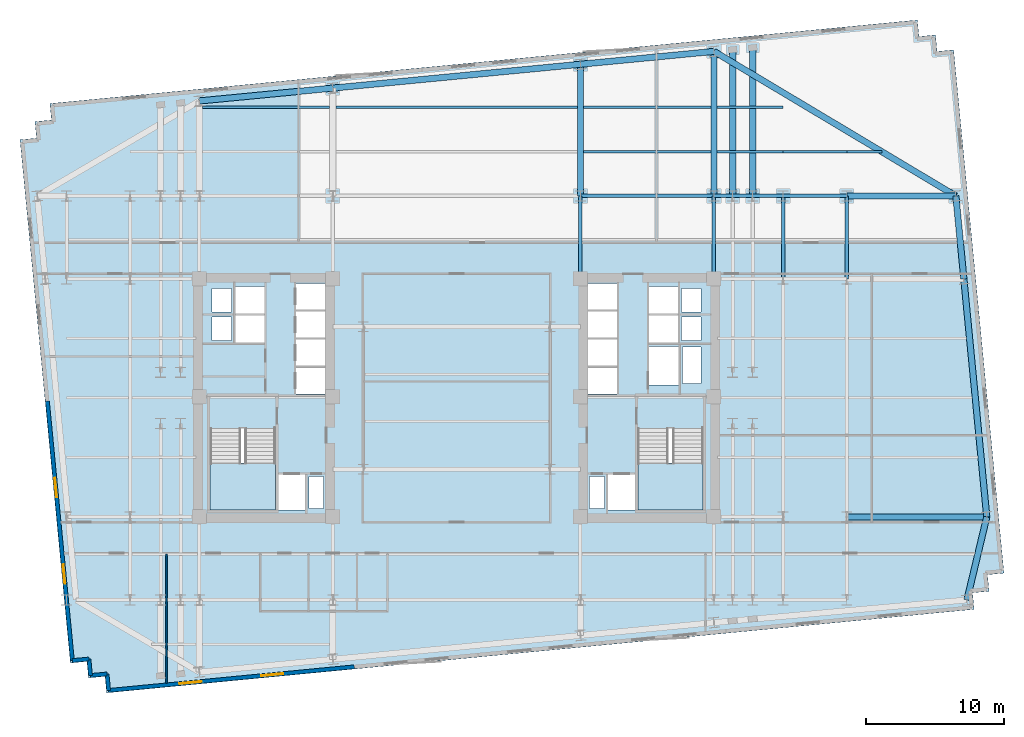
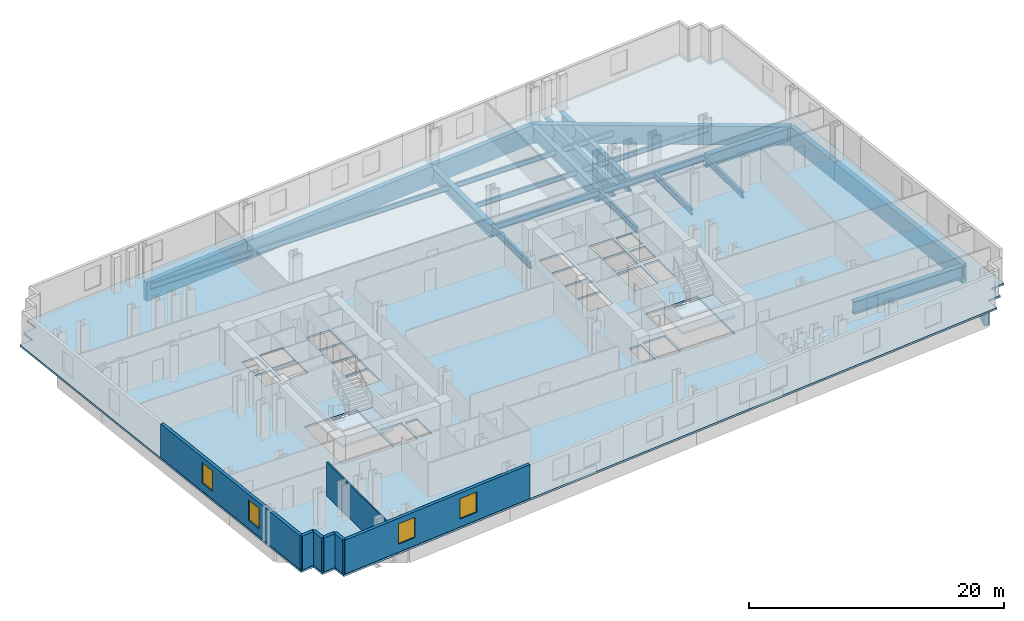
# One storey, part 3 of 10: 28 beams, 7 walls, 4 windows, 3 slabs, 4 openings, 2 elements without a shape of their own.
"""IFC4 building model written with IfcOpenShell, lengths in metres."""

from ifc_helpers import new_model, si_unit, direction, frame, frame_2d, origin, origin_2d, place, context, subcontext, project, spatial, polyline, rectangle, i_section, outline, extrude, material, layer, layer_set, material_profile, profile_set, type_object, element, fill, aggregate, save


model = new_model("IFC4")

# Units and contexts
model_context = context("Model", 3, precision=1e-05, world=origin(), true_north=direction((0.0, 1.0)))
body_context = subcontext(model_context, "Body", "Model", "MODEL_VIEW")
ifc_project = project(units=[si_unit("LENGTHUNIT", "METRE"), si_unit("AREAUNIT", "SQUARE_METRE"), si_unit("VOLUMEUNIT", "CUBIC_METRE"), si_unit("PLANEANGLEUNIT", "RADIAN"), si_unit("MASSUNIT", "GRAM", prefix="KILO")], contexts=[model_context])

# Site, building, storey
site_placement = place(None, origin())
site = spatial("IfcSite", under=ifc_project, at=site_placement, CompositionType="ELEMENT")
building_placement = place(site_placement, origin())
building = spatial("IfcBuilding", under=site, at=building_placement, Name="Velakula Bourse", CompositionType="ELEMENT")
storey_placement = place(building_placement, frame((0.0, 0.0, 74.199951171875)))
storey = spatial("IfcBuildingStorey", under=building, at=storey_placement, Name="L19", CompositionType="ELEMENT", Elevation=74.199951171875)

# Beams
ifc_material_1 = material(Name="Steel IS 2062 Grade 350 (E350)", Category="steel")
ifc_material_profile_1 = material_profile(ifc_material_1, i_section(OverallWidth=0.25, OverallDepth=0.60009765625, WebThickness=0.01171875, FlangeThickness=0.023681640625, at=origin_2d()), Name="Steel IS 2062 Grade 350 (E350)")
ifc_profile_set_1 = profile_set([ifc_material_profile_1], Name="Steel IS 2062 Grade 350 (E350)")
beam_type_1 = type_object("IfcBeamType", Name="BM-GRD-600H", PredefinedType="BEAM", material=ifc_profile_set_1)
for number, where, z_axis, x_axis, name in (
    (1, (8.949951171875, 8.60009765625, -0.47998046875), (0.0, 1.0, 0.0), (-1.0, 0.0, 0.0), "L19 Fulcrum Grid Girder FLC-ECN"),
    (2, (18.60009765625, 8.60009765625, -0.47998046875), (0.0, 1.0, 0.0), (-1.0, 0.0, 0.0), "L19 Fulcrum Grid Girder FLC-EN"),
):
    element("IfcBeam", number, at=place(storey_placement, frame(where, z_axis=z_axis, x_axis=x_axis)), inside=storey, type_object=beam_type_1, Name=name, PredefinedType="BEAM", context=body_context, shape_type="SweptSolid", body=[
        extrude(i_section(OverallWidth=0.25, OverallDepth=0.60009765625, WebThickness=0.01171875, FlangeThickness=0.023681640625, at=origin_2d()), origin(), (0.0, 0.0, 1.0), 6.0),
    ])
beam_1_placement = place(storey_placement, frame((8.949951171875, 14.60009765625, -0.47998046875), z_axis=(1.0, 0.0, 0.0), x_axis=(0.0, 1.0, 0.0)))
element("IfcBeam", 3, at=beam_1_placement, inside=storey, type_object=beam_type_1, Name="L19 Fulcrum Grid Girder FLC-N3", PredefinedType="BEAM", context=body_context, shape_type="SweptSolid", body=[
    extrude(i_section(OverallWidth=0.25, OverallDepth=0.60009765625, WebThickness=0.01171875, FlangeThickness=0.023681640625, at=origin_2d()), origin(), (0.0, 0.0, 1.0), 9.650146484375),
])
beam_2_placement = place(storey_placement, frame((18.60009765625, 14.60009765625, -0.47998046875), z_axis=(1.0, 0.0, 0.0), x_axis=(0.0, 1.0, 0.0)))
element("IfcBeam", 4, at=beam_2_placement, inside=storey, type_object=beam_type_1, Name="L19 Fulcrum Grid Girder MWG-EN2", PredefinedType="BEAM", context=body_context, shape_type="SweptSolid", body=[
    extrude(i_section(OverallWidth=0.25, OverallDepth=0.60009765625, WebThickness=0.01171875, FlangeThickness=0.023681640625, at=origin_2d()), origin(), (0.0, 0.0, 1.0), 5.0),
])
beam_3_placement = place(storey_placement, frame((23.60009765625, 8.60009765625, -0.47998046875), z_axis=(0.0, 1.0, 0.0), x_axis=(-1.0, 0.0, 0.0)))
element("IfcBeam", 5, at=beam_3_placement, inside=storey, type_object=beam_type_1, Name="L19 Fulcrum Grid Girder MWG-ENS3", PredefinedType="BEAM", context=body_context, shape_type="SweptSolid", body=[
    extrude(i_section(OverallWidth=0.25, OverallDepth=0.60009765625, WebThickness=0.01171875, FlangeThickness=0.023681640625, at=origin_2d()), origin(), (0.0, 0.0, 1.0), 6.0),
])
beam_4_placement = place(storey_placement, frame((23.60009765625, 14.60009765625, -0.47998046875), z_axis=(1.0, 0.0, 0.0), x_axis=(0.0, 1.0, 0.0)))
element("IfcBeam", 6, at=beam_4_placement, inside=storey, type_object=beam_type_1, Name="L19 Fulcrum Grid Girder WNG-EN2", PredefinedType="BEAM", context=body_context, shape_type="SweptSolid", body=[
    extrude(i_section(OverallWidth=0.25, OverallDepth=0.60009765625, WebThickness=0.01171875, FlangeThickness=0.023681640625, at=origin_2d()), origin(), (0.0, 0.0, 1.0), 4.599853515625),
])
beam_5_placement = place(storey_placement, frame((28.199951171875, 8.60009765625, -0.47998046875), z_axis=(0.0, 1.0, 0.0), x_axis=(-1.0, 0.0, 0.0)))
element("IfcBeam", 7, at=beam_5_placement, inside=storey, type_object=beam_type_1, Name="L19 Fulcrum Grid Girder WNG-ENS3", PredefinedType="BEAM", context=body_context, shape_type="SweptSolid", body=[
    extrude(i_section(OverallWidth=0.25, OverallDepth=0.60009765625, WebThickness=0.01171875, FlangeThickness=0.023681640625, at=origin_2d()), origin(), (0.0, 0.0, 1.0), 6.0),
])
ifc_material_profile_2 = material_profile(ifc_material_1, i_section(OverallWidth=0.179931640625, OverallDepth=0.5, WebThickness=0.01025390625, FlangeThickness=0.01708984375, at=origin_2d()), Name="Steel IS 2062 Grade 350 (E350)")
ifc_profile_set_2 = profile_set([ifc_material_profile_2], Name="Steel IS 2062 Grade 350 (E350)")
beam_type_2 = type_object("IfcBeamType", Name="JST-TWR-500", PredefinedType="JOIST", material=ifc_profile_set_2)
beam_6_placement = place(storey_placement, frame((9.175048828125, 17.800048828125, -0.429931640625), z_axis=(1.0, 0.0, 0.0), x_axis=(0.0, 1.0, 0.0)))
element("IfcBeam", 8, at=beam_6_placement, inside=storey, type_object=beam_type_2, Name="L19 Trading Floor Composite Joist 23", PredefinedType="JOIST", context=body_context, shape_type="SweptSolid", body=[
    extrude(i_section(OverallWidth=0.179931640625, OverallDepth=0.5, WebThickness=0.01025390625, FlangeThickness=0.01708984375, at=origin_2d()), origin(), (0.0, 0.0, 1.0), 9.199951171875),
])
beam_7_placement = place(storey_placement, frame((18.824951171875, 17.800048828125, -0.429931640625), z_axis=(1.0, 0.0, 0.0), x_axis=(0.0, 1.0, 0.0)))
element("IfcBeam", 9, at=beam_7_placement, inside=storey, type_object=beam_type_2, Name="L19 Trading Floor Composite Joist 24", PredefinedType="JOIST", context=body_context, shape_type="SweptSolid", body=[
    extrude(i_section(OverallWidth=0.179931640625, OverallDepth=0.5, WebThickness=0.01025390625, FlangeThickness=0.01708984375, at=origin_2d()), origin(), (0.0, 0.0, 1.0), 4.775146484375),
])
beam_8_placement = place(storey_placement, frame((23.60009765625, 17.800048828125, -0.429931640625), z_axis=(1.0, 0.0, 0.0), x_axis=(0.0, 1.0, 0.0)))
element("IfcBeam", 10, at=beam_8_placement, inside=storey, type_object=beam_type_2, Name="L19 Trading Floor Composite Joist 25", PredefinedType="JOIST", context=body_context, shape_type="SweptSolid", body=[
    extrude(i_section(OverallWidth=0.179931640625, OverallDepth=0.5, WebThickness=0.01025390625, FlangeThickness=0.01708984375, at=origin_2d()), origin(), (0.0, 0.0, 1.0), 4.599853515625),
])
beam_9_placement = place(storey_placement, frame((28.199951171875, 17.800048828125, -0.429931640625), z_axis=(1.0, 0.0, 0.0), x_axis=(0.0, 1.0, 0.0)))
element("IfcBeam", 11, at=beam_9_placement, inside=storey, type_object=beam_type_2, Name="L19 Trading Floor Composite Joist 26", PredefinedType="JOIST", context=body_context, shape_type="SweptSolid", body=[
    extrude(i_section(OverallWidth=0.179931640625, OverallDepth=0.5, WebThickness=0.01025390625, FlangeThickness=0.01708984375, at=origin_2d()), origin(), (0.0, 0.0, 1.0), 2.53173828125),
])
beam_10_placement = place(storey_placement, frame((-18.375, 21.0, -0.429931640625), z_axis=(1.0, 0.0, 0.0), x_axis=(0.0, 1.0, 0.0)))
element("IfcBeam", 12, at=beam_10_placement, inside=storey, type_object=beam_type_2, Name="L19 Trading Floor Composite Joist 27", PredefinedType="JOIST", context=body_context, shape_type="SweptSolid", body=[
    extrude(i_section(OverallWidth=0.179931640625, OverallDepth=0.5, WebThickness=0.01025390625, FlangeThickness=0.01708984375, at=origin_2d()), origin(), (0.0, 0.0, 1.0), 9.199951171875),
])
beam_11_placement = place(storey_placement, frame((-8.72509765625, 21.0, -0.429931640625), z_axis=(1.0, 0.0, 0.0), x_axis=(0.0, 1.0, 0.0)))
element("IfcBeam", 13, at=beam_11_placement, inside=storey, type_object=beam_type_2, Name="L19 Trading Floor Composite Joist 28", PredefinedType="JOIST", context=body_context, shape_type="SweptSolid", body=[
    extrude(i_section(OverallWidth=0.179931640625, OverallDepth=0.5, WebThickness=0.01025390625, FlangeThickness=0.01708984375, at=origin_2d()), origin(), (0.0, 0.0, 1.0), 17.4501953125),
])
beam_12_placement = place(storey_placement, frame((9.175048828125, 21.0, -0.429931640625), z_axis=(1.0, 0.0, 0.0), x_axis=(0.0, 1.0, 0.0)))
element("IfcBeam", 14, at=beam_12_placement, inside=storey, type_object=beam_type_2, Name="L19 Trading Floor Composite Joist 29", PredefinedType="JOIST", context=body_context, shape_type="SweptSolid", body=[
    extrude(i_section(OverallWidth=0.179931640625, OverallDepth=0.5, WebThickness=0.01025390625, FlangeThickness=0.01708984375, at=origin_2d()), origin(), (0.0, 0.0, 1.0), 9.199951171875),
])
beam_13_placement = place(storey_placement, frame((18.824951171875, 21.0, -0.429931640625), z_axis=(1.0, 0.0, 0.0), x_axis=(0.0, 1.0, 0.0)))
element("IfcBeam", 15, at=beam_13_placement, inside=storey, type_object=beam_type_2, Name="L19 Trading Floor Composite Joist 30", PredefinedType="JOIST", context=body_context, shape_type="SweptSolid", body=[
    extrude(i_section(OverallWidth=0.179931640625, OverallDepth=0.5, WebThickness=0.01025390625, FlangeThickness=0.01708984375, at=origin_2d()), origin(), (0.0, 0.0, 1.0), 4.775146484375),
])
ifc_material_2 = material(Name="Concrete M50 (fck 50 MPa)", Category="concrete")
ifc_material_profile_3 = material_profile(ifc_material_2, rectangle(XDim=0.449951171875, YDim=1.800048828125, at=origin_2d()), Name="Concrete M50 (fck 50 MPa)")
ifc_profile_set_3 = profile_set([ifc_material_profile_3], Name="Concrete M50 (fck 50 MPa)")
beam_type_3 = type_object("IfcBeamType", Name="SPN-TRF-1800", PredefinedType="SPANDREL", material=ifc_profile_set_3)
beam_14_placement = place(storey_placement, frame((-18.60009765625, 21.468994140625, -1.079833984375), z_axis=(0.99539623971, 0.095845323155, 0.0), x_axis=(-0.095845323155, 0.99539623971, 0.0)))
element("IfcBeam", 16, at=beam_14_placement, inside=storey, type_object=beam_type_3, Name="L19 Brick-Faced Precast Spandrel N1-N2", PredefinedType="SPANDREL", context=body_context, shape_type="SweptSolid", body=[
    extrude(rectangle(XDim=0.449951171875, YDim=1.800048828125, at=origin_2d()), origin(), (0.0, 0.0, 1.0), 9.69482421875),
])
beam_15_placement = place(storey_placement, frame((-8.949951171875, 22.398193359375, -1.079833984375), z_axis=(0.995397131467, 0.095836061418, 0.0), x_axis=(-0.095836061418, 0.995397131467, 0.0)))
element("IfcBeam", 17, at=beam_15_placement, inside=storey, type_object=beam_type_3, Name="L19 Brick-Faced Precast Spandrel N2-N3", PredefinedType="SPANDREL", context=body_context, shape_type="SweptSolid", body=[
    extrude(rectangle(XDim=0.449951171875, YDim=1.800048828125, at=origin_2d()), origin(), (0.0, 0.0, 1.0), 17.982666015625),
])
beam_16_placement = place(storey_placement, frame((8.949951171875, 24.12158203125, -1.079833984375), z_axis=(0.99539623971, 0.095845323155, 0.0), x_axis=(-0.095845323155, 0.99539623971, 0.0)))
element("IfcBeam", 18, at=beam_16_placement, inside=storey, type_object=beam_type_3, Name="L19 Brick-Faced Precast Spandrel N3-N4", PredefinedType="SPANDREL", context=body_context, shape_type="SweptSolid", body=[
    extrude(rectangle(XDim=0.449951171875, YDim=1.800048828125, at=origin_2d()), origin(), (0.0, 0.0, 1.0), 9.69482421875),
])
beam_17_placement = place(storey_placement, frame((36.88818359375, -14.60009765625, -1.079833984375), z_axis=(0.232091371601, 0.972693988482, 0.0), x_axis=(-0.972693988482, 0.232091371601, 0.0)))
element("IfcBeam", 19, at=beam_17_placement, inside=storey, type_object=beam_type_3, Name="L19 Brick-Faced Precast Spandrel E1-E2", PredefinedType="SPANDREL", context=body_context, shape_type="SweptSolid", body=[
    extrude(rectangle(XDim=0.449951171875, YDim=1.800048828125, at=origin_2d()), origin(), (0.0, 0.0, 1.0), 6.16845703125),
])
beam_18_placement = place(storey_placement, frame((38.31982421875, -8.60009765625, -1.079833984375), z_axis=(-0.095849167925, 0.995395869495, 0.0), x_axis=(-0.995395869495, -0.095849167925, 0.0)))
element("IfcBeam", 20, at=beam_18_placement, inside=storey, type_object=beam_type_3, Name="L19 Brick-Faced Precast Spandrel E2-E3", PredefinedType="SPANDREL", context=body_context, shape_type="SweptSolid", body=[
    extrude(rectangle(XDim=0.449951171875, YDim=1.800048828125, at=origin_2d()), origin(), (0.0, 0.0, 1.0), 17.27978515625),
])
beam_19_placement = place(storey_placement, frame((36.66357421875, 8.60009765625, -1.079833984375), z_axis=(-0.095829714309, 0.995397742541, 0.0), x_axis=(-0.995397742541, -0.095829714309, 0.0)))
element("IfcBeam", 21, at=beam_19_placement, inside=storey, type_object=beam_type_3, Name="L19 Brick-Faced Precast Spandrel E3-E4", PredefinedType="SPANDREL", context=body_context, shape_type="SweptSolid", body=[
    extrude(rectangle(XDim=0.449951171875, YDim=1.800048828125, at=origin_2d()), origin(), (0.0, 0.0, 1.0), 6.02783203125),
])
beam_20_placement = place(storey_placement, frame((36.0859375, 14.60009765625, -1.079833984375), z_axis=(-0.858375715449, 0.513021569846, 0.0), x_axis=(-0.513021569846, -0.858375715449, 0.0)))
element("IfcBeam", 22, at=beam_20_placement, inside=storey, type_object=beam_type_3, Name="L19 Brick-Faced Precast Spandrel E4-N4", PredefinedType="SPANDREL", context=body_context, shape_type="SweptSolid", body=[
    extrude(rectangle(XDim=0.449951171875, YDim=1.800048828125, at=origin_2d()), origin(), (0.0, 0.0, 1.0), 20.370849609375),
])
ifc_material_3 = material(Name="Steel IS 2062 Grade 450 (E450)", Category="steel")
ifc_material_profile_4 = material_profile(ifc_material_3, i_section(OverallWidth=0.449951171875, OverallDepth=1.199951171875, WebThickness=0.02587890625, FlangeThickness=0.0400390625, at=origin_2d()), Name="Steel IS 2062 Grade 450 (E450)")
ifc_profile_set_4 = profile_set([ifc_material_profile_4], Name="Steel IS 2062 Grade 450 (E450)")
beam_type_4 = type_object("IfcBeamType", Name="TB-CANT-1200", PredefinedType="BEAM", material=ifc_profile_set_4)
beam_21_placement = place(storey_placement, frame((8.949951171875, 14.60009765625, -0.780029296875), z_axis=(0.0, 1.0, 0.0), x_axis=(-1.0, 0.0, 0.0)))
element("IfcBeam", 23, at=beam_21_placement, inside=storey, type_object=beam_type_4, Name="L19 Perimeter Tie Girder N3", PredefinedType="BEAM", context=body_context, shape_type="SweptSolid", body=[
    extrude(i_section(OverallWidth=0.449951171875, OverallDepth=1.199951171875, WebThickness=0.02587890625, FlangeThickness=0.0400390625, at=origin_2d()), origin(), (0.0, 0.0, 1.0), 9.521484375),
])
beam_22_placement = place(storey_placement, frame((18.60009765625, 14.60009765625, -0.780029296875), z_axis=(0.0, 1.0, 0.0), x_axis=(-1.0, 0.0, 0.0)))
element("IfcBeam", 24, at=beam_22_placement, inside=storey, type_object=beam_type_4, Name="L19 Perimeter Tie Girder N4", PredefinedType="BEAM", context=body_context, shape_type="SweptSolid", body=[
    extrude(i_section(OverallWidth=0.449951171875, OverallDepth=1.199951171875, WebThickness=0.02587890625, FlangeThickness=0.0400390625, at=origin_2d()), origin(), (0.0, 0.0, 1.0), 10.45068359375),
])
beam_23_placement = place(storey_placement, frame((28.199951171875, -8.60009765625, -0.780029296875), z_axis=(1.0, 0.0, 0.0), x_axis=(0.0, 1.0, 0.0)))
element("IfcBeam", 25, at=beam_23_placement, inside=storey, type_object=beam_type_4, Name="L19 Perimeter Tie Girder E2", PredefinedType="BEAM", context=body_context, shape_type="SweptSolid", body=[
    extrude(i_section(OverallWidth=0.449951171875, OverallDepth=1.199951171875, WebThickness=0.02587890625, FlangeThickness=0.0400390625, at=origin_2d()), origin(), (0.0, 0.0, 1.0), 10.119873046875),
])
beam_24_placement = place(storey_placement, frame((28.199951171875, 14.60009765625, -0.780029296875), z_axis=(1.0, 0.0, 0.0), x_axis=(0.0, 1.0, 0.0)))
element("IfcBeam", 26, at=beam_24_placement, inside=storey, type_object=beam_type_4, Name="L19 Perimeter Tie Girder E4", PredefinedType="BEAM", context=body_context, shape_type="SweptSolid", body=[
    extrude(i_section(OverallWidth=0.449951171875, OverallDepth=1.199951171875, WebThickness=0.02587890625, FlangeThickness=0.0400390625, at=origin_2d()), origin(), (0.0, 0.0, 1.0), 7.885986328125),
])
beam_25_placement = place(storey_placement, frame((19.949951171875, 14.60009765625, -0.780029296875), z_axis=(0.0, 1.0, 0.0), x_axis=(-1.0, 0.0, 0.0)))
element("IfcBeam", 27, at=beam_25_placement, inside=storey, type_object=beam_type_4, Name="L19 Perimeter Tie Girder P07", PredefinedType="BEAM", context=body_context, shape_type="SweptSolid", body=[
    extrude(i_section(OverallWidth=0.449951171875, OverallDepth=1.199951171875, WebThickness=0.02587890625, FlangeThickness=0.0400390625, at=origin_2d()), origin(), (0.0, 0.0, 1.0), 10.580810546875),
])
beam_26_placement = place(storey_placement, frame((21.39990234375, 14.60009765625, -0.780029296875), z_axis=(0.0, 1.0, 0.0), x_axis=(-1.0, 0.0, 0.0)))
element("IfcBeam", 28, at=beam_26_placement, inside=storey, type_object=beam_type_4, Name="L19 Perimeter Tie Girder P08", PredefinedType="BEAM", context=body_context, shape_type="SweptSolid", body=[
    extrude(i_section(OverallWidth=0.449951171875, OverallDepth=1.199951171875, WebThickness=0.02587890625, FlangeThickness=0.0400390625, at=origin_2d()), origin(), (0.0, 0.0, 1.0), 10.720458984375),
])

# Stair, slab
ifc_material_4 = material(Name="Concrete M45 (fck 45 MPa)", Category="concrete")
stair_type = type_object("IfcStairType", Name="STR-DOG-390", PredefinedType="HALF_TURN_STAIR", material=ifc_material_4)
stair_1_placement = place(storey_placement, origin())
stair_1 = element("IfcStair", 29, at=stair_1_placement, inside=storey, type_object=stair_type, Name="L19 West Core Exit Stair ST-W1", PredefinedType="HALF_TURN_STAIR")
ifc_layer_1 = layer(ifc_material_4, 0.199951171875, Name="Concrete M45 (fck 45 MPa)", Category="concrete")
ifc_layer_set_1 = layer_set([ifc_layer_1], Name="Concrete M45 (fck 45 MPa)")
slab_type_1 = type_object("IfcSlabType", Name="SLB-STAIR-LND-200", PredefinedType="LANDING", material=ifc_layer_set_1)
slab_1_placement = place(storey_placement, frame((0.0, 0.0, 1.525146484375)))
slab_1 = element("IfcSlab", 30, at=slab_1_placement, type_object=slab_type_1, Name="ST-W1 landing 1", PredefinedType="LANDING", context=body_context, shape_type="SweptSolid", body=[
    extrude(outline(polyline([(-17.820068359375, -4.719970703125), (-17.820068359375, -8.10009765625), (-13.10009765625, -8.10009765625), (-13.10009765625, -4.719970703125), (-17.820068359375, -4.719970703125)])), origin(), (0.0, 0.0, 1.0), 0.199951171875),
])
aggregate(stair_1, [slab_1])

stair_2_placement = place(storey_placement, origin())
stair_2 = element("IfcStair", 31, at=stair_2_placement, inside=storey, type_object=stair_type, Name="L19 East Core Exit Stair ST-E1", PredefinedType="HALF_TURN_STAIR")
slab_2_placement = place(storey_placement, frame((0.0, 0.0, 1.525146484375)))
slab_2 = element("IfcSlab", 32, at=slab_2_placement, type_object=slab_type_1, Name="ST-E1 landing 1", PredefinedType="LANDING", context=body_context, shape_type="SweptSolid", body=[
    extrude(outline(polyline([(13.10009765625, -4.719970703125), (13.10009765625, -8.10009765625), (17.820068359375, -8.10009765625), (17.820068359375, -4.719970703125), (13.10009765625, -4.719970703125)])), origin(), (0.0, 0.0, 1.0), 0.199951171875),
])
aggregate(stair_2, [slab_2])

# Slab
ifc_layer_2 = layer(ifc_material_2, 0.179931640625, Name="Concrete M50 (fck 50 MPa)", Category="concrete")
ifc_layer_set_2 = layer_set([ifc_layer_2], Name="Concrete M50 (fck 50 MPa)")
slab_type_2 = type_object("IfcSlabType", Name="SLB-TWR-180", PredefinedType="FLOOR", material=ifc_layer_set_2)
slab_3_placement = place(storey_placement, frame((0.0, 0.0, -0.179931640625)))
element("IfcSlab", 33, at=slab_3_placement, inside=storey, type_object=slab_type_2, Name="L19 Suspended Structural Floor Slab", PredefinedType="FLOOR", context=body_context, shape_type="SweptSolid", body=[
    extrude(outline(polyline([(-25.303955078125, -21.320556640625), (37.406005859375, -15.2822265625), (37.291015625, -14.087890625), (38.485595703125, -13.972900390625), (38.37060546875, -12.7783203125), (39.56494140625, -12.663330078125), (35.9228515625, 25.16162109375), (34.728271484375, 25.046630859375), (34.61328125, 26.2412109375), (33.4189453125, 26.126220703125), (33.303955078125, 27.320556640625), (-29.406005859375, 21.2822265625), (-29.291015625, 20.087890625), (-30.485595703125, 19.972900390625), (-30.37060546875, 18.7783203125), (-31.56494140625, 18.663330078125), (-27.9228515625, -19.16162109375), (-26.728271484375, -19.046630859375), (-26.61328125, -20.2412109375), (-25.4189453125, -20.126220703125), (-25.303955078125, -21.320556640625)]), holes=[polyline([(-17.820068359375, -8.10009765625), (-13.10009765625, -8.10009765625), (-13.10009765625, -2.199951171875), (-17.820068359375, -2.199951171875), (-17.820068359375, -8.10009765625)]), polyline([(13.10009765625, -8.10009765625), (17.820068359375, -8.10009765625), (17.820068359375, -2.199951171875), (13.10009765625, -2.199951171875), (13.10009765625, -8.10009765625)]), polyline([(-12.89990234375, -8.10009765625), (-10.949951171875, -8.10009765625), (-10.949951171875, -5.550048828125), (-12.89990234375, -5.550048828125), (-12.89990234375, -8.10009765625)]), polyline([(10.949951171875, -8.10009765625), (12.89990234375, -8.10009765625), (12.89990234375, -5.550048828125), (10.949951171875, -5.550048828125), (10.949951171875, -8.10009765625)]), polyline([(13.89990234375, 0.919921875), (16.050048828125, 0.919921875), (16.050048828125, 3.719970703125), (13.89990234375, 3.719970703125), (13.89990234375, 0.919921875)]), polyline([(-10.679931640625, -7.97998046875), (-9.6201171875, -7.97998046875), (-9.6201171875, -5.669921875), (-10.679931640625, -5.669921875), (-10.679931640625, -7.97998046875)]), polyline([(-17.679931640625, 4.139892578125), (-16.27001953125, 4.139892578125), (-16.27001953125, 5.85009765625), (-17.679931640625, 5.85009765625), (-17.679931640625, 4.139892578125)]), polyline([(-17.679931640625, 6.2099609375), (-16.27001953125, 6.2099609375), (-16.27001953125, 7.919921875), (-17.679931640625, 7.919921875), (-17.679931640625, 6.2099609375)]), polyline([(9.6201171875, -7.97998046875), (10.679931640625, -7.97998046875), (10.679931640625, -5.669921875), (9.6201171875, -5.669921875), (9.6201171875, -7.97998046875)]), polyline([(16.27001953125, 4.139892578125), (17.679931640625, 4.139892578125), (17.679931640625, 5.85009765625), (16.27001953125, 5.85009765625), (16.27001953125, 4.139892578125)]), polyline([(16.27001953125, 6.2099609375), (17.679931640625, 6.2099609375), (17.679931640625, 7.919921875), (16.27001953125, 7.919921875), (16.27001953125, 6.2099609375)]), polyline([(16.320068359375, 1.0400390625), (17.679931640625, 1.0400390625), (17.679931640625, 3.699951171875), (16.320068359375, 3.699951171875), (16.320068359375, 1.0400390625)]), polyline([(-11.60009765625, 0.280029296875), (-9.5, 0.280029296875), (-9.5, 2.199951171875), (-11.60009765625, 2.199951171875), (-11.60009765625, 0.280029296875)]), polyline([(-11.60009765625, 2.31005859375), (-9.5, 2.31005859375), (-9.5, 4.22998046875), (-11.60009765625, 4.22998046875), (-11.60009765625, 2.31005859375)]), polyline([(-11.60009765625, 4.340087890625), (-9.5, 4.340087890625), (-9.5, 6.260009765625), (-11.60009765625, 6.260009765625), (-11.60009765625, 4.340087890625)]), polyline([(-11.60009765625, 6.3701171875), (-9.5, 6.3701171875), (-9.5, 8.2900390625), (-11.60009765625, 8.2900390625), (-11.60009765625, 6.3701171875)]), polyline([(9.5, 0.280029296875), (11.60009765625, 0.280029296875), (11.60009765625, 2.199951171875), (9.5, 2.199951171875), (9.5, 0.280029296875)]), polyline([(9.5, 2.31005859375), (11.60009765625, 2.31005859375), (11.60009765625, 4.22998046875), (9.5, 4.22998046875), (9.5, 2.31005859375)]), polyline([(9.5, 4.340087890625), (11.60009765625, 4.340087890625), (11.60009765625, 6.260009765625), (9.5, 6.260009765625), (9.5, 4.340087890625)]), polyline([(9.5, 6.3701171875), (11.60009765625, 6.3701171875), (11.60009765625, 8.2900390625), (9.5, 8.2900390625), (9.5, 6.3701171875)]), polyline([(-16.0, 4.02001953125), (-13.89990234375, 4.02001953125), (-13.89990234375, 5.969970703125), (-16.0, 5.969970703125), (-16.0, 4.02001953125)]), polyline([(-16.0, 6.090087890625), (-13.89990234375, 6.090087890625), (-13.89990234375, 8.0400390625), (-16.0, 8.0400390625), (-16.0, 6.090087890625)]), polyline([(13.89990234375, 4.02001953125), (16.0, 4.02001953125), (16.0, 5.969970703125), (13.89990234375, 5.969970703125), (13.89990234375, 4.02001953125)]), polyline([(13.89990234375, 6.090087890625), (16.0, 6.090087890625), (16.0, 8.0400390625), (13.89990234375, 8.0400390625), (13.89990234375, 6.090087890625)])]), origin(), (0.0, 0.0, 1.0), 0.179931640625),
])

# Wall, openings, windows
ifc_material_5 = material(Name="Red kilned clay facing brick masonry", Category="masonry")
ifc_layer_3 = layer(ifc_material_5, 0.280029296875, Name="Red kilned clay facing brick masonry", Category="masonry")
ifc_layer_set_3 = layer_set([ifc_layer_3], Name="Red kilned clay facing brick masonry")
wall_type_1 = type_object("IfcWallType", Name="WL-EXT-BRK-280", PredefinedType="STANDARD", material=ifc_layer_set_3)
wall_1_placement = place(storey_placement, frame((-7.402099609375, -19.43603515625, 0.0), z_axis=(0.0, 0.0, 1.0), x_axis=(-0.995395780835, -0.095850088663, 0.0)))
wall_1 = element("IfcWall", 34, at=wall_1_placement, inside=storey, type_object=wall_type_1, Name="L19 S Brick Spandrel Wall B1", PredefinedType="STANDARD", context=body_context, shape_type="SweptSolid", body=[
    extrude(rectangle(XDim=17.83984375, YDim=0.280029296875, at=frame_2d((8.919921875, 0.0))), origin(), (0.0, 0.0, 1.0), 3.25),
])
opening_1_placement = place(wall_1_placement, frame((5.146728515625, 0.0, 0.760009765625)))
opening_1 = element("IfcOpeningElement", 35, at=opening_1_placement, cuts=wall_1, Name="Opening W-02", PredefinedType="OPENING", context=body_context, shape_type="SweptSolid", body=[
    extrude(rectangle(XDim=1.60009765625, YDim=1.949951171875, at=frame_2d((0.800048828125, 0.97509765625))), frame((0.0, 0.14990234375, 0.0), z_axis=(0.0, -1.0, 0.0), x_axis=(1.0, 0.0, 0.0)), (0.0, 0.0, 1.0), 0.300048828125),
])
opening_2_placement = place(wall_1_placement, frame((11.09326171875, 0.0, 0.760009765625)))
opening_2 = element("IfcOpeningElement", 36, at=opening_2_placement, cuts=wall_1, Name="Opening W-02", PredefinedType="OPENING", context=body_context, shape_type="SweptSolid", body=[
    extrude(rectangle(XDim=1.60009765625, YDim=1.949951171875, at=frame_2d((0.800048828125, 0.97509765625))), frame((0.0, 0.14990234375, 0.0), z_axis=(0.0, -1.0, 0.0), x_axis=(1.0, 0.0, 0.0)), (0.0, 0.0, 1.0), 0.300048828125),
])
ifc_material_6 = material(Name="Double-glazed solar-control Low-E glass", Category="glass")
window_type_1 = type_object("IfcWindowType", Name="WIN-TWR-1600x2100", PartitioningType="SINGLE_PANEL", PredefinedType="WINDOW", material=ifc_material_6)
window_1_placement = place(opening_1_placement, origin())
window_1 = element("IfcWindow", 37, at=window_1_placement, inside=storey, type_object=window_type_1, Name="L19 Deep-Set Recessed Window 1", OverallHeight=1.949951171875, OverallWidth=1.60009765625, PartitioningType="SINGLE_PANEL", PredefinedType="WINDOW", context=body_context, shape_type="SweptSolid", body=[
    extrude(rectangle(XDim=1.60009765625, YDim=1.949951171875, at=frame_2d((0.800048828125, 0.97509765625))), frame((0.0, 0.030029296875, 0.0), z_axis=(0.0, -1.0, 0.0), x_axis=(1.0, 0.0, 0.0)), (0.0, 0.0, 1.0), 0.06005859375),
])
fill(opening_1, window_1)
window_2_placement = place(opening_2_placement, origin())
window_2 = element("IfcWindow", 38, at=window_2_placement, inside=storey, type_object=window_type_1, Name="L19 Deep-Set Recessed Window 2", OverallHeight=1.949951171875, OverallWidth=1.60009765625, PartitioningType="SINGLE_PANEL", PredefinedType="WINDOW", context=body_context, shape_type="SweptSolid", body=[
    extrude(rectangle(XDim=1.60009765625, YDim=1.949951171875, at=frame_2d((0.800048828125, 0.97509765625))), frame((0.0, 0.030029296875, 0.0), z_axis=(0.0, -1.0, 0.0), x_axis=(1.0, 0.0, 0.0)), (0.0, 0.0, 1.0), 0.06005859375),
])
fill(opening_2, window_2)

wall_2_placement = place(storey_placement, frame((-27.779052734375, -18.987060546875, 0.0), z_axis=(0.0, 0.0, 1.0), x_axis=(-0.095842534142, 0.995396508256, 0.0)))
wall_2 = element("IfcWall", 39, at=wall_2_placement, inside=storey, type_object=wall_type_1, Name="L19 W Brick End Wall W1", PredefinedType="STANDARD", context=body_context, shape_type="SweptSolid", body=[
    extrude(rectangle(XDim=18.83984375, YDim=0.280029296875, at=frame_2d((9.419921875, 0.0))), origin(), (0.0, 0.0, 1.0), 3.25),
])
opening_3_placement = place(wall_2_placement, frame((5.580078125, 0.0, 0.760009765625)))
opening_3 = element("IfcOpeningElement", 40, at=opening_3_placement, cuts=wall_2, Name="Opening W-03", PredefinedType="OPENING", context=body_context, shape_type="SweptSolid", body=[
    extrude(rectangle(XDim=1.39990234375, YDim=1.949951171875, at=frame_2d((0.699951171875, 0.97509765625))), frame((0.0, 0.14990234375, 0.0), z_axis=(0.0, -1.0, 0.0), x_axis=(1.0, 0.0, 0.0)), (0.0, 0.0, 1.0), 0.300048828125),
])
opening_4_placement = place(wall_2_placement, frame((11.860107421875, 0.0, 0.760009765625)))
opening_4 = element("IfcOpeningElement", 41, at=opening_4_placement, cuts=wall_2, Name="Opening W-03", PredefinedType="OPENING", context=body_context, shape_type="SweptSolid", body=[
    extrude(rectangle(XDim=1.39990234375, YDim=1.949951171875, at=frame_2d((0.699951171875, 0.97509765625))), frame((0.0, 0.14990234375, 0.0), z_axis=(0.0, -1.0, 0.0), x_axis=(1.0, 0.0, 0.0)), (0.0, 0.0, 1.0), 0.300048828125),
])
window_type_2 = type_object("IfcWindowType", Name="WIN-TWR-1400x2100", PartitioningType="SINGLE_PANEL", PredefinedType="WINDOW", material=ifc_material_6)
window_3_placement = place(opening_3_placement, origin())
window_3 = element("IfcWindow", 42, at=window_3_placement, inside=storey, type_object=window_type_2, Name="L19 Deep-Set Recessed Window 1", OverallHeight=1.949951171875, OverallWidth=1.39990234375, PartitioningType="SINGLE_PANEL", PredefinedType="WINDOW", context=body_context, shape_type="SweptSolid", body=[
    extrude(rectangle(XDim=1.39990234375, YDim=1.949951171875, at=frame_2d((0.699951171875, 0.97509765625))), frame((0.0, 0.030029296875, 0.0), z_axis=(0.0, -1.0, 0.0), x_axis=(1.0, 0.0, 0.0)), (0.0, 0.0, 1.0), 0.06005859375),
])
fill(opening_3, window_3)
window_4_placement = place(opening_4_placement, origin())
window_4 = element("IfcWindow", 43, at=window_4_placement, inside=storey, type_object=window_type_2, Name="L19 Deep-Set Recessed Window 2", OverallHeight=1.949951171875, OverallWidth=1.39990234375, PartitioningType="SINGLE_PANEL", PredefinedType="WINDOW", context=body_context, shape_type="SweptSolid", body=[
    extrude(rectangle(XDim=1.39990234375, YDim=1.949951171875, at=frame_2d((0.699951171875, 0.97509765625))), frame((0.0, 0.030029296875, 0.0), z_axis=(0.0, -1.0, 0.0), x_axis=(1.0, 0.0, 0.0)), (0.0, 0.0, 1.0), 0.06005859375),
])
fill(opening_4, window_4)

# Walls
for number, where, z_axis, x_axis, name in (
    (44, (-27.779052734375, -18.987060546875, 0.0), (0.0, 0.0, 1.0), (0.995398960025, 0.095817067274, 0.0), "L19 Serrated Corner Brick Wall SW-1"),
    (45, (-26.58447265625, -18.8720703125, 0.0), (0.0, 0.0, 1.0), (0.095817067274, -0.995398960025, 0.0), "L19 Serrated Corner Brick Wall SW-2"),
    (46, (-26.469482421875, -20.066650390625, 0.0), (0.0, 0.0, 1.0), (0.995398960025, 0.095817067274, 0.0), "L19 Serrated Corner Brick Wall SW-3"),
):
    element("IfcWall", number, at=place(storey_placement, frame(where, z_axis=z_axis, x_axis=x_axis)), inside=storey, type_object=wall_type_1, Name=name, PredefinedType="STANDARD", context=body_context, shape_type="SweptSolid", body=[
        extrude(rectangle(XDim=1.2001953125, YDim=0.280029296875, at=frame_2d((0.60009765625, 0.0))), origin(), (0.0, 0.0, 1.0), 3.25),
    ])
wall_3_placement = place(storey_placement, frame((-25.27490234375, -19.95166015625, 0.0), z_axis=(0.0, 0.0, 1.0), x_axis=(0.095836473879, -0.995397091755, 0.0)))
element("IfcWall", 47, at=wall_3_placement, inside=storey, type_object=wall_type_1, Name="L19 Serrated Corner Brick Wall SW-4", PredefinedType="STANDARD", context=body_context, shape_type="SweptSolid", body=[
    extrude(rectangle(XDim=1.199951171875, YDim=0.280029296875, at=frame_2d((0.60009765625, 0.0))), origin(), (0.0, 0.0, 1.0), 3.25),
])
ifc_material_7 = material(Name="Fire-rated double-layer gypsum drywall partition", Category="gypsum")
ifc_layer_4 = layer(ifc_material_7, 0.1201171875, Name="Fire-rated double-layer gypsum drywall partition", Category="gypsum")
ifc_layer_set_4 = layer_set([ifc_layer_4], Name="Fire-rated double-layer gypsum drywall partition")
wall_type_2 = type_object("IfcWallType", Name="WL-PART-120", PredefinedType="STANDARD", material=ifc_layer_set_4)
wall_4_placement = place(storey_placement, frame((-20.987060546875, -20.623779296875, 0.0), z_axis=(0.0, 0.0, 1.0), x_axis=(0.0, 1.0, 0.0)))
element("IfcWall", 48, at=wall_4_placement, inside=storey, type_object=wall_type_2, Name="L19 Interior Partition WL-INT-L19-SL-D5", PredefinedType="STANDARD", context=body_context, shape_type="SweptSolid", body=[
    extrude(rectangle(XDim=9.333740234375, YDim=0.1201171875, at=frame_2d((4.6669921875, 0.0))), origin(), (0.0, 0.0, 1.0), 3.25),
])

save(model, "model.ifc")
